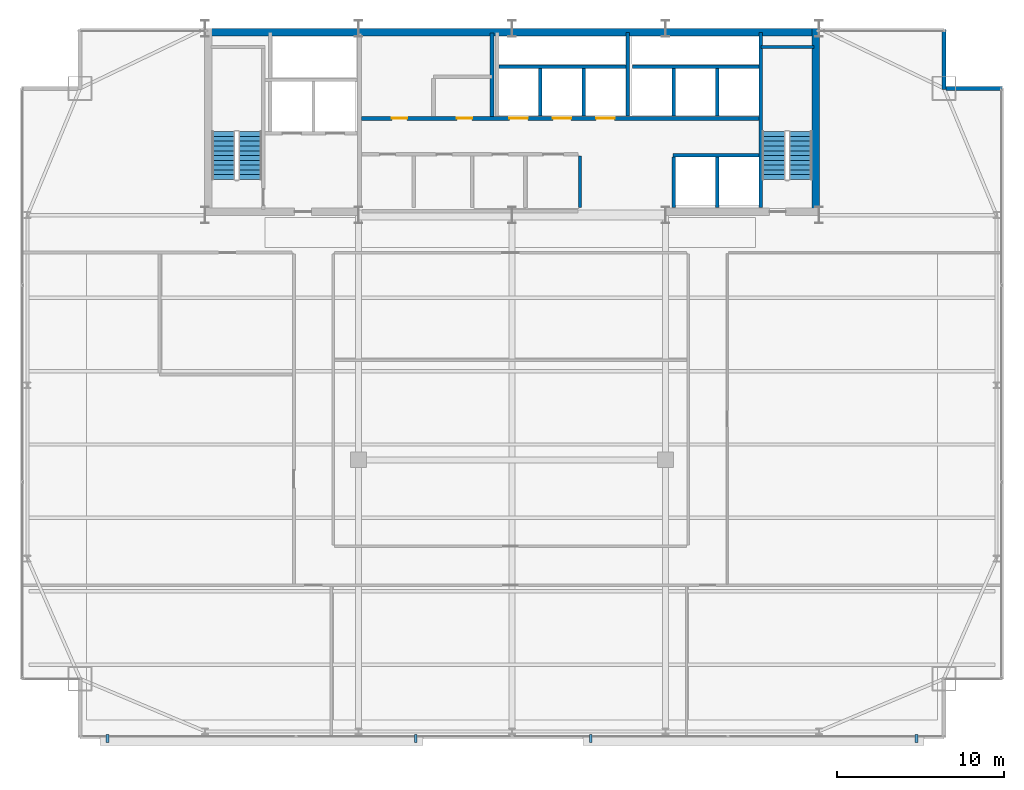
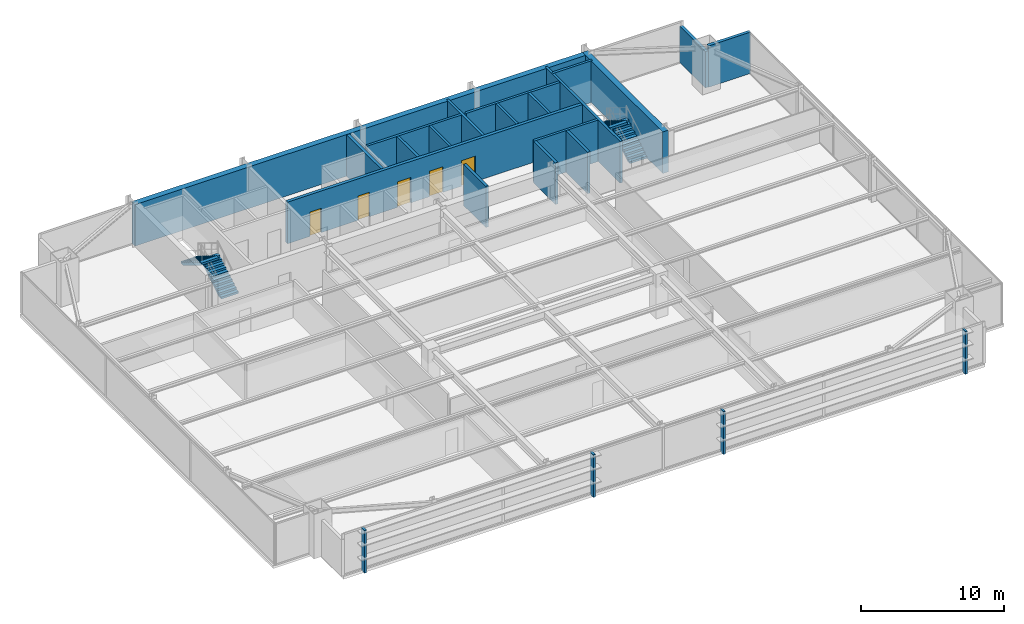
# One storey, part 28 of 30: 19 walls, 5 doors, 4 discrete accessories, 4 stair flights, 5 openings, 2 elements without a shape of their own.
"""IFC4 building model written with IfcOpenShell, lengths in metres."""

from ifc_helpers import new_model, si_unit, direction, frame, frame_2d, origin, origin_2d, place, context, subcontext, project, spatial, polyline, rectangle, outline, extrude, source, transform, mapped, material, layer, layer_set, type_object, type_shapes, element, fill, aggregate, save


model = new_model("IFC4")

# Units and contexts
model_context = context("Model", 3, precision=1e-05, world=origin(), true_north=direction((0.0, 1.0)))
body_context = subcontext(model_context, "Body", "Model", "MODEL_VIEW")
ifc_project = project(units=[si_unit("LENGTHUNIT", "METRE"), si_unit("AREAUNIT", "SQUARE_METRE"), si_unit("VOLUMEUNIT", "CUBIC_METRE"), si_unit("PLANEANGLEUNIT", "RADIAN"), si_unit("MASSUNIT", "GRAM", prefix="KILO")], contexts=[model_context])

# Site, building, storey
site_placement = place(None, origin())
site = spatial("IfcSite", under=ifc_project, at=site_placement, CompositionType="ELEMENT")
building_placement = place(site_placement, origin())
building = spatial("IfcBuilding", under=site, at=building_placement, Name="Varnel Quay Broadcast Tower", CompositionType="ELEMENT")
storey_placement = place(building_placement, frame((0.0, 0.0, 122.0)))
storey = spatial("IfcBuildingStorey", under=building, at=storey_placement, Name="L29", CompositionType="ELEMENT", Elevation=122.0)

# Walls
ifc_material_1 = material(Name="Concrete CSA A23.3 C50/60", Category="concrete")
ifc_layer_1 = layer(ifc_material_1, 0.199951171875, Name="Concrete CSA A23.3 C50/60")
ifc_layer_set_1 = layer_set([ifc_layer_1], Name="Concrete CSA A23.3 C50/60")
wall_type_1 = type_object("IfcWallType", Name="Wall_CoreShaftShear200", PredefinedType="SHEAR", material=ifc_layer_set_1)
wall_1_placement = place(storey_placement, frame((48.919921875, 36.050048828125, 0.0), z_axis=(0.0, 0.0, 1.0), x_axis=(0.0, 1.0, 0.0)))
element("IfcWall", 1, at=wall_1_placement, inside=storey, type_object=wall_type_1, Name="L29 Stair 2 West Structural Wall", PredefinedType="SHEAR", context=body_context, shape_type="SweptSolid", body=[
    extrude(rectangle(XDim=10.5, YDim=0.199951171875, at=frame_2d((5.25, 0.0))), origin(), (0.0, 0.0, 1.0), 3.550048828125),
])
wall_2_placement = place(storey_placement, frame((48.919921875, 45.679931640625, 0.0), z_axis=(0.0, 0.0, 1.0), x_axis=(1.0, 0.0, 0.0)))
element("IfcWall", 2, at=wall_2_placement, inside=storey, type_object=wall_type_1, Name="L29 Stair 2 North Structural Wall", PredefinedType="SHEAR", context=body_context, shape_type="SweptSolid", body=[
    extrude(rectangle(XDim=3.18017578125, YDim=0.199951171875, at=frame_2d((1.590087890625, 0.0))), origin(), (0.0, 0.0, 1.0), 3.550048828125),
])
wall_3_placement = place(storey_placement, frame((33.219970703125, 44.5, 0.0), z_axis=(0.0, 0.0, 1.0), x_axis=(1.0, 0.0, 0.0)))
element("IfcWall", 3, at=wall_3_placement, inside=storey, type_object=wall_type_1, Name="L29 Mid-Rise Lift Shaft Rear Wall", PredefinedType="SHEAR", context=body_context, shape_type="SweptSolid", body=[
    extrude(rectangle(XDim=7.630126953125, YDim=0.199951171875, at=frame_2d((3.81494140625, 0.0))), origin(), (0.0, 0.0, 1.0), 3.550048828125),
])
for number, where, z_axis, x_axis, name in (
    (4, (35.699951171875, 41.530029296875, 0.0), (0.0, 0.0, 1.0), (0.0, 1.0, 0.0), "L29 Mid-Rise Lift Shaft Divider 2"),
    (5, (38.300048828125, 41.530029296875, 0.0), (0.0, 0.0, 1.0), (0.0, 1.0, 0.0), "L29 Mid-Rise Lift Shaft Divider 3"),
):
    element("IfcWall", number, at=place(storey_placement, frame(where, z_axis=z_axis, x_axis=x_axis)), inside=storey, type_object=wall_type_1, Name=name, PredefinedType="SHEAR", context=body_context, shape_type="SweptSolid", body=[
        extrude(rectangle(XDim=2.869873046875, YDim=0.199951171875, at=frame_2d((1.43505859375, 0.0))), origin(), (0.0, 0.0, 1.0), 3.550048828125),
    ])
wall_4_placement = place(storey_placement, frame((40.949951171875, 41.530029296875, 0.0), z_axis=(0.0, 0.0, 1.0), x_axis=(0.0, 1.0, 0.0)))
element("IfcWall", 6, at=wall_4_placement, inside=storey, type_object=wall_type_1, Name="L29 Mid-Rise Lift Shaft Divider 4", PredefinedType="SHEAR", context=body_context, shape_type="SweptSolid", body=[
    extrude(rectangle(XDim=5.02001953125, YDim=0.199951171875, at=frame_2d((2.510009765625, 0.0))), origin(), (0.0, 0.0, 1.0), 3.550048828125),
])
wall_5_placement = place(storey_placement, frame((41.219970703125, 44.5, 0.0), z_axis=(0.0, 0.0, 1.0), x_axis=(1.0, 0.0, 0.0)))
element("IfcWall", 7, at=wall_5_placement, inside=storey, type_object=wall_type_1, Name="L29 High-Rise Lift Shaft Rear Wall", PredefinedType="SHEAR", context=body_context, shape_type="SweptSolid", body=[
    extrude(rectangle(XDim=7.580078125, YDim=0.199951171875, at=frame_2d((3.7900390625, 0.0))), origin(), (0.0, 0.0, 1.0), 3.550048828125),
])
for number, where, z_axis, x_axis, name in (
    (8, (43.699951171875, 41.530029296875, 0.0), (0.0, 0.0, 1.0), (0.0, 1.0, 0.0), "L29 High-Rise Lift Shaft Divider 2"),
    (9, (46.300048828125, 41.530029296875, 0.0), (0.0, 0.0, 1.0), (0.0, 1.0, 0.0), "L29 High-Rise Lift Shaft Divider 3"),
):
    element("IfcWall", number, at=place(storey_placement, frame(where, z_axis=z_axis, x_axis=x_axis)), inside=storey, type_object=wall_type_1, Name=name, PredefinedType="SHEAR", context=body_context, shape_type="SweptSolid", body=[
        extrude(rectangle(XDim=2.869873046875, YDim=0.199951171875, at=frame_2d((1.43505859375, 0.0))), origin(), (0.0, 0.0, 1.0), 3.550048828125),
    ])
for number, where, z_axis, x_axis, name in (
    (10, (43.699951171875, 36.050048828125, 0.0), (0.0, 0.0, 1.0), (0.0, 1.0, 0.0), "L29 Express Lift Shaft West Wall"),
    (11, (46.300048828125, 36.050048828125, 0.0), (0.0, 0.0, 1.0), (0.0, 1.0, 0.0), "L29 Express Lift Shaft Divider"),
):
    element("IfcWall", number, at=place(storey_placement, frame(where, z_axis=z_axis, x_axis=x_axis)), inside=storey, type_object=wall_type_1, Name=name, PredefinedType="SHEAR", context=body_context, shape_type="SweptSolid", body=[
        extrude(rectangle(XDim=3.050048828125, YDim=0.199951171875, at=frame_2d((1.52490234375, 0.0))), origin(), (0.0, 0.0, 1.0), 3.550048828125),
    ])
wall_6_placement = place(storey_placement, frame((43.64990234375, 39.199951171875, 0.0), z_axis=(0.0, 0.0, 1.0), x_axis=(1.0, 0.0, 0.0)))
element("IfcWall", 12, at=wall_6_placement, inside=storey, type_object=wall_type_1, Name="L29 Express Lift Shaft North Front Wall", PredefinedType="SHEAR", context=body_context, shape_type="SweptSolid", body=[
    extrude(rectangle(XDim=5.150146484375, YDim=0.199951171875, at=frame_2d((2.5751953125, 0.0))), origin(), (0.0, 0.0, 1.0), 3.550048828125),
])

# Wall, openings, doors
ifc_layer_2 = layer(ifc_material_1, 0.25, Name="Concrete CSA A23.3 C50/60")
ifc_layer_set_2 = layer_set([ifc_layer_2], Name="Concrete CSA A23.3 C50/60")
wall_type_2 = type_object("IfcWallType", Name="Wall_CoreShaftShear250", PredefinedType="SHEAR", material=ifc_layer_set_2)
wall_7_placement = place(storey_placement, frame((24.97998046875, 41.39990234375, 0.0), z_axis=(0.0, 0.0, 1.0), x_axis=(1.0, 0.0, 0.0)))
wall_7 = element("IfcWall", 13, at=wall_7_placement, inside=storey, type_object=wall_type_2, Name="L29 North Lift Bank & Reclaimed Suite Wall", PredefinedType="SHEAR", context=body_context, shape_type="SweptSolid", body=[
    extrude(rectangle(XDim=23.820068359375, YDim=0.25, at=frame_2d((11.91015625, 0.0))), origin(), (0.0, 0.0, 1.0), 3.550048828125),
])
opening_1_placement = place(wall_7_placement, frame((8.8701171875, 0.0, 0.0)))
opening_1 = element("IfcOpeningElement", 14, at=opening_1_placement, cuts=wall_7, Name="Opening LD-L29-PM-01", PredefinedType="OPENING", context=body_context, shape_type="SweptSolid", body=[
    extrude(rectangle(XDim=1.10009765625, YDim=2.179931640625, at=frame_2d((0.550048828125, 1.08984375))), frame((0.0, 0.135009765625, 0.0), z_axis=(0.0, -1.0, 0.0), x_axis=(1.0, 0.0, 0.0)), (0.0, 0.0, 1.0), 0.27001953125),
])
opening_2_placement = place(wall_7_placement, frame((11.469970703125, 0.0, 0.0)))
opening_2 = element("IfcOpeningElement", 15, at=opening_2_placement, cuts=wall_7, Name="Opening LD-L29-PM-02", PredefinedType="OPENING", context=body_context, shape_type="SweptSolid", body=[
    extrude(rectangle(XDim=1.10009765625, YDim=2.179931640625, at=frame_2d((0.550048828125, 1.08984375))), frame((0.0, 0.135009765625, 0.0), z_axis=(0.0, -1.0, 0.0), x_axis=(1.0, 0.0, 0.0)), (0.0, 0.0, 1.0), 0.27001953125),
])
opening_3_placement = place(wall_7_placement, frame((14.070068359375, 0.0, 0.0)))
opening_3 = element("IfcOpeningElement", 16, at=opening_3_placement, cuts=wall_7, Name="Opening LD-L29-PM-03", PredefinedType="OPENING", context=body_context, shape_type="SweptSolid", body=[
    extrude(rectangle(XDim=1.10009765625, YDim=2.179931640625, at=frame_2d((0.550048828125, 1.08984375))), frame((0.0, 0.135009765625, 0.0), z_axis=(0.0, -1.0, 0.0), x_axis=(1.0, 0.0, 0.0)), (0.0, 0.0, 1.0), 0.27001953125),
])
opening_4_placement = place(wall_7_placement, frame((1.81005859375, 0.0, 0.0)))
opening_4 = element("IfcOpeningElement", 17, at=opening_4_placement, cuts=wall_7, Name="Opening D-L29-RECA1", PredefinedType="OPENING", context=body_context, shape_type="SweptSolid", body=[
    extrude(rectangle(XDim=0.919921875, YDim=2.080078125, at=frame_2d((0.4599609375, 1.0400390625))), frame((0.0, 0.135009765625, 0.0), z_axis=(0.0, -1.0, 0.0), x_axis=(1.0, 0.0, 0.0)), (0.0, 0.0, 1.0), 0.27001953125),
])
opening_5_placement = place(wall_7_placement, frame((5.7099609375, 0.0, 0.0)))
opening_5 = element("IfcOpeningElement", 18, at=opening_5_placement, cuts=wall_7, Name="Opening D-L29-RECA2", PredefinedType="OPENING", context=body_context, shape_type="SweptSolid", body=[
    extrude(rectangle(XDim=0.919921875, YDim=2.080078125, at=frame_2d((0.4599609375, 1.0400390625))), frame((0.0, 0.135009765625, 0.0), z_axis=(0.0, -1.0, 0.0), x_axis=(1.0, 0.0, 0.0)), (0.0, 0.0, 1.0), 0.27001953125),
])
ifc_material_2 = material(Name="Brushed Bronze-Stainless Lift Car & Sliding Doors", Category="steel")
door_type_1 = type_object("IfcDoorType", Name="Door_LiftLanding1100", OperationType="SLIDING_TO_LEFT", PredefinedType="DOOR", material=ifc_material_2)
shared_shape_1 = source(origin(), body_context, "Body", "SweptSolid", [
    extrude(rectangle(XDim=1.10009765625, YDim=2.179931640625, at=frame_2d((0.550048828125, 1.08984375))), frame((0.0, 0.02490234375, 0.0), z_axis=(0.0, -1.0, 0.0), x_axis=(1.0, 0.0, 0.0)), (0.0, 0.0, 1.0), 0.050048828125),
])
type_shapes(door_type_1, [shared_shape_1])
door_1_placement = place(opening_1_placement, frame((1.10009765625, 0.0, 0.0), z_axis=(0.0, 0.0, 1.0), x_axis=(-1.0, 0.0, 0.0)))
door_1 = element("IfcDoor", 19, at=door_1_placement, inside=storey, type_object=door_type_1, Name="L29 Lift PM-01 Landing Door", OperationType="SLIDING_TO_LEFT", OverallHeight=2.179931640625, OverallWidth=1.10009765625, PredefinedType="DOOR", context=body_context, shape_type="MappedRepresentation", body=[
    mapped(shared_shape_1, transform((0.0, 0.0, 0.0), x_axis=(1.0, 0.0, 0.0), y_axis=(0.0, 1.0, 0.0), z_axis=(0.0, 0.0, 1.0), scale=1.0)),
])
fill(opening_1, door_1)
door_2_placement = place(opening_2_placement, frame((1.10009765625, 0.0, 0.0), z_axis=(0.0, 0.0, 1.0), x_axis=(-1.0, 0.0, 0.0)))
door_2 = element("IfcDoor", 20, at=door_2_placement, inside=storey, type_object=door_type_1, Name="L29 Lift PM-02 Landing Door", OperationType="SLIDING_TO_LEFT", OverallHeight=2.179931640625, OverallWidth=1.10009765625, PredefinedType="DOOR", context=body_context, shape_type="MappedRepresentation", body=[
    mapped(shared_shape_1, transform((0.0, 0.0, 0.0), x_axis=(1.0, 0.0, 0.0), y_axis=(0.0, 1.0, 0.0), z_axis=(0.0, 0.0, 1.0), scale=1.0)),
])
fill(opening_2, door_2)
door_3_placement = place(opening_3_placement, frame((1.10009765625, 0.0, 0.0), z_axis=(0.0, 0.0, 1.0), x_axis=(-1.0, 0.0, 0.0)))
door_3 = element("IfcDoor", 21, at=door_3_placement, inside=storey, type_object=door_type_1, Name="L29 Lift PM-03 Landing Door", OperationType="SLIDING_TO_LEFT", OverallHeight=2.179931640625, OverallWidth=1.10009765625, PredefinedType="DOOR", context=body_context, shape_type="MappedRepresentation", body=[
    mapped(shared_shape_1, transform((0.0, 0.0, 0.0), x_axis=(1.0, 0.0, 0.0), y_axis=(0.0, 1.0, 0.0), z_axis=(0.0, 0.0, 1.0), scale=1.0)),
])
fill(opening_3, door_3)
ifc_material_3 = material(Name="Solid-Core Fire-Rated Acoustic Oak Veneer Door", Category="wood")
door_type_2 = type_object("IfcDoorType", Name="Door_Office920", OperationType="NOTDEFINED", PredefinedType="DOOR", material=ifc_material_3)
shared_shape_2 = source(origin(), body_context, "Body", "SweptSolid", [
    extrude(rectangle(XDim=0.919921875, YDim=2.080078125, at=frame_2d((0.4599609375, 1.0400390625))), frame((0.0, 0.02490234375, 0.0), z_axis=(0.0, -1.0, 0.0), x_axis=(1.0, 0.0, 0.0)), (0.0, 0.0, 1.0), 0.050048828125),
])
type_shapes(door_type_2, [shared_shape_2])
door_4_placement = place(opening_4_placement, origin())
door_4 = element("IfcDoor", 22, at=door_4_placement, inside=storey, type_object=door_type_2, Name="L29 Signal Routing Suite Door", OperationType="SINGLE_SWING_RIGHT", OverallHeight=2.080078125, OverallWidth=0.919921875, PredefinedType="DOOR", context=body_context, shape_type="MappedRepresentation", body=[
    mapped(shared_shape_2, transform((0.0, 0.0, 0.0), x_axis=(1.0, 0.0, 0.0), y_axis=(0.0, 1.0, 0.0), z_axis=(0.0, 0.0, 1.0), scale=1.0)),
])
fill(opening_4, door_4)
door_5_placement = place(opening_5_placement, origin())
door_5 = element("IfcDoor", 23, at=door_5_placement, inside=storey, type_object=door_type_2, Name="L29 Archive Media Store Door", OperationType="SINGLE_SWING_LEFT", OverallHeight=2.080078125, OverallWidth=0.919921875, PredefinedType="DOOR", context=body_context, shape_type="MappedRepresentation", body=[
    mapped(shared_shape_2, transform((0.0, 0.0, 0.0), x_axis=(1.0, 0.0, 0.0), y_axis=(0.0, 1.0, 0.0), z_axis=(0.0, 0.0, 1.0), scale=1.0)),
])
fill(opening_5, door_5)

# Walls
ifc_material_4 = material(Name="Concrete CSA A23.3 C60/75", Category="concrete")
ifc_layer_3 = layer(ifc_material_4, 0.449951171875, Name="Concrete CSA A23.3 C60/75")
ifc_layer_set_3 = layer_set([ifc_layer_3], Name="Concrete CSA A23.3 C60/75")
wall_type_3 = type_object("IfcWallType", Name="Wall_CoreShearExt450", PredefinedType="SHEAR", material=ifc_layer_set_3)
wall_8_placement = place(storey_placement, frame((15.60009765625, 46.574951171875, 0.0), z_axis=(0.0, 0.0, 1.0), x_axis=(1.0, 0.0, 0.0)))
element("IfcWall", 24, at=wall_8_placement, inside=storey, type_object=wall_type_3, Name="L29 North Core Shear Wall", PredefinedType="SHEAR", context=body_context, shape_type="SweptSolid", body=[
    extrude(rectangle(XDim=36.7998046875, YDim=0.449951171875, at=frame_2d((18.39990234375, 0.0))), origin(), (0.0, 0.0, 1.0), 3.550048828125),
])
ifc_layer_4 = layer(ifc_material_4, 0.449951171875, Name="Concrete CSA A23.3 C60/75")
ifc_layer_set_4 = layer_set([ifc_layer_4], Name="Concrete CSA A23.3 C60/75")
wall_type_4 = type_object("IfcWallType", Name="Wall_CoreShearInt450", PredefinedType="SHEAR", material=ifc_layer_set_4)
wall_9_placement = place(storey_placement, frame((52.205078125, 35.570068359375, 0.0), z_axis=(0.0, 0.0, 1.0), x_axis=(0.0, 1.0, 0.0)))
element("IfcWall", 25, at=wall_9_placement, inside=storey, type_object=wall_type_4, Name="L29 East Core Shear Wall", PredefinedType="SHEAR", context=body_context, shape_type="SweptSolid", body=[
    extrude(rectangle(XDim=11.22998046875, YDim=0.449951171875, at=frame_2d((5.614990234375, 0.0))), origin(), (0.0, 0.0, 1.0), 3.550048828125),
])
ifc_material_5 = material(Name="Precast Architectural Concrete C40/50", Category="concrete")
ifc_layer_5 = layer(ifc_material_5, 0.25, Name="Precast Architectural Concrete C40/50")
ifc_layer_set_5 = layer_set([ifc_layer_5], Name="Precast Architectural Concrete C40/50")
wall_type_5 = type_object("IfcWallType", Name="Wall_ExtTerrace250", PredefinedType="SOLIDWALL", material=ifc_layer_set_5)
wall_10_placement = place(storey_placement, frame((60.030029296875, 43.199951171875, 0.0), z_axis=(0.0, 0.0, 1.0), x_axis=(1.0, 0.0, 0.0)))
element("IfcWall", 26, at=wall_10_placement, inside=storey, type_object=wall_type_5, Name="L29 Mega-Column Notch Cladding Wall NNE1", PredefinedType="SOLIDWALL", context=body_context, shape_type="SweptSolid", body=[
    extrude(rectangle(XDim=3.389892578125, YDim=0.25, at=frame_2d((1.69482421875, 0.0))), origin(), (0.0, 0.0, 1.0), 3.530029296875),
])
wall_11_placement = place(storey_placement, frame((59.89990234375, 43.1201171875, 0.0), z_axis=(0.0, 0.0, 1.0), x_axis=(0.0, 1.0, 0.0)))
element("IfcWall", 27, at=wall_11_placement, inside=storey, type_object=wall_type_5, Name="L29 Mega-Column Notch Cladding Wall NNE2", PredefinedType="SOLIDWALL", context=body_context, shape_type="SweptSolid", body=[
    extrude(rectangle(XDim=3.599853515625, YDim=0.25, at=frame_2d((1.7998046875, 0.0))), origin(), (0.0, 0.0, 1.0), 3.10791015625),
])
ifc_material_6 = material(Name="Concrete Blockwork Fire Enclosure C40/50", Category="masonry")
ifc_layer_6 = layer(ifc_material_6, 0.199951171875, Name="Concrete Blockwork Fire Enclosure C40/50")
ifc_layer_set_6 = layer_set([ifc_layer_6], Name="Concrete Blockwork Fire Enclosure C40/50")
wall_type_6 = type_object("IfcWallType", Name="Wall_FireShaft200", PredefinedType="SOLIDWALL", material=ifc_layer_set_6)
wall_12_placement = place(storey_placement, frame((38.074951171875, 36.050048828125, 0.0), z_axis=(0.0, 0.0, 1.0), x_axis=(0.0, 1.0, 0.0)))
element("IfcWall", 28, at=wall_12_placement, inside=storey, type_object=wall_type_6, Name="L29 Zone Lighting Dimmer Room Partition 6", PredefinedType="SOLIDWALL", context=body_context, shape_type="SweptSolid", body=[
    extrude(rectangle(XDim=3.099853515625, YDim=0.199951171875, at=frame_2d((1.5498046875, 0.0))), origin(), (0.0, 0.0, 1.0), 3.530029296875),
])
ifc_material_7 = material(Name="Steel-Stud Fire-Rated Acoustic Gypsum Partition Assembly", Category="steel")
ifc_layer_7 = layer(ifc_material_7, 0.22509765625, Name="Steel-Stud Fire-Rated Acoustic Gypsum Partition Assembly")
ifc_layer_set_7 = layer_set([ifc_layer_7], Name="Steel-Stud Fire-Rated Acoustic Gypsum Partition Assembly")
wall_type_7 = type_object("IfcWallType", Name="Wall_Partition225", PredefinedType="PARTITIONING", material=ifc_layer_set_7)
wall_13_placement = place(storey_placement, frame((32.800048828125, 41.5, 0.0), z_axis=(0.0, 0.0, 1.0), x_axis=(0.0, 1.0, 0.0)))
element("IfcWall", 29, at=wall_13_placement, inside=storey, type_object=wall_type_7, Name="L29 Signal Routing Suite Partition 23", PredefinedType="PARTITIONING", context=body_context, shape_type="SweptSolid", body=[
    extrude(rectangle(XDim=5.02001953125, YDim=0.22509765625, at=frame_2d((2.510009765625, 0.0))), origin(), (0.0, 0.0, 1.0), 3.530029296875),
])

# Stair, stair flights
ifc_material_8 = material(Name="Precast Structural Concrete C40/50", Category="concrete")
stair_type_1 = type_object("IfcStairType", Name="Stair_ST-01", PredefinedType="HALF_TURN_STAIR", material=ifc_material_8)
stair_1_placement = place(storey_placement, origin())
stair_1 = element("IfcStair", 30, at=stair_1_placement, inside=storey, type_object=stair_type_1, Name="L29 West Core Exit Stair 1", PredefinedType="HALF_TURN_STAIR")
stair_flight_type_1 = type_object("IfcStairFlightType", Name="Flight_ST-01", PredefinedType="STRAIGHT", material=ifc_material_8)
stair_flight_1_placement = place(storey_placement, frame((18.300048828125, 37.75, 0.0), z_axis=(0.0, 0.0, 1.0), x_axis=(0.0, 1.0, 0.0)))
stair_flight_1 = element("IfcStairFlight", 31, at=stair_flight_1_placement, type_object=stair_flight_type_1, Name="ST-01 flight 1", NumberOfRisers=11, NumberOfTreads=10, PredefinedType="STRAIGHT", RiserHeight=0.172727273, TreadLength=0.285, context=body_context, shape_type="SweptSolid", body=[
    extrude(outline(polyline([(0.0, 0.0), (0.0, 0.172607421875), (0.284912109375, 0.172607421875), (0.284912109375, 0.345458984375), (0.570068359375, 0.345458984375), (0.570068359375, 0.51806640625), (0.85498046875, 0.51806640625), (0.85498046875, 0.69091796875), (1.139892578125, 0.69091796875), (1.139892578125, 0.863525390625), (1.425048828125, 0.863525390625), (1.425048828125, 1.036376953125), (1.7099609375, 1.036376953125), (1.7099609375, 1.208984375), (1.9951171875, 1.208984375), (1.9951171875, 1.3818359375), (2.280029296875, 1.3818359375), (2.280029296875, 1.554443359375), (2.56494140625, 1.554443359375), (2.56494140625, 1.727294921875), (2.85009765625, 1.727294921875), (2.85009765625, 1.89990234375), (2.85009765625, 1.552001953125), (0.289306640625, 0.0), (0.0, 0.0)])), frame((0.0, 0.699951171875, 0.0), z_axis=(0.0, -1.0, 0.0), x_axis=(1.0, 0.0, 0.0)), (0.0, 0.0, 1.0), 1.39990234375),
])
stair_flight_2_placement = place(storey_placement, frame((16.699951171875, 40.60009765625, 1.89990234375), z_axis=(0.0, 0.0, 1.0), x_axis=(0.0, -1.0, 0.0)))
stair_flight_2 = element("IfcStairFlight", 32, at=stair_flight_2_placement, type_object=stair_flight_type_1, Name="ST-01 flight 2", NumberOfRisers=11, NumberOfTreads=10, PredefinedType="STRAIGHT", RiserHeight=0.172727273, TreadLength=0.285, context=body_context, shape_type="SweptSolid", body=[
    extrude(outline(polyline([(0.0, 0.0), (0.0, 0.172607421875), (0.284912109375, 0.172607421875), (0.284912109375, 0.345458984375), (0.570068359375, 0.345458984375), (0.570068359375, 0.51806640625), (0.85498046875, 0.51806640625), (0.85498046875, 0.69091796875), (1.139892578125, 0.69091796875), (1.139892578125, 0.863525390625), (1.425048828125, 0.863525390625), (1.425048828125, 1.036376953125), (1.7099609375, 1.036376953125), (1.7099609375, 1.208984375), (1.9951171875, 1.208984375), (1.9951171875, 1.3818359375), (2.280029296875, 1.3818359375), (2.280029296875, 1.554443359375), (2.56494140625, 1.554443359375), (2.56494140625, 1.727294921875), (2.85009765625, 1.727294921875), (2.85009765625, 1.89990234375), (2.85009765625, 1.552001953125), (0.289306640625, 0.0), (0.0, 0.0)])), frame((0.0, 0.699951171875, 0.0), z_axis=(0.0, -1.0, 0.0), x_axis=(1.0, 0.0, 0.0)), (0.0, 0.0, 1.0), 1.39990234375),
])
aggregate(stair_1, [stair_flight_1, stair_flight_2])

stair_type_2 = type_object("IfcStairType", Name="Stair_ST-02", PredefinedType="HALF_TURN_STAIR", material=ifc_material_8)
stair_2_placement = place(storey_placement, origin())
stair_2 = element("IfcStair", 33, at=stair_2_placement, inside=storey, type_object=stair_type_2, Name="L29 East Core Exit Stair 2", PredefinedType="HALF_TURN_STAIR")
stair_flight_type_2 = type_object("IfcStairFlightType", Name="Flight_ST-02", PredefinedType="STRAIGHT", material=ifc_material_8)
stair_flight_3_placement = place(storey_placement, frame((51.300048828125, 37.75, 0.0), z_axis=(0.0, 0.0, 1.0), x_axis=(0.0, 1.0, 0.0)))
stair_flight_3 = element("IfcStairFlight", 34, at=stair_flight_3_placement, type_object=stair_flight_type_2, Name="ST-02 flight 1", NumberOfRisers=11, NumberOfTreads=10, PredefinedType="STRAIGHT", RiserHeight=0.172727273, TreadLength=0.285, context=body_context, shape_type="SweptSolid", body=[
    extrude(outline(polyline([(0.0, 0.0), (0.0, 0.172607421875), (0.284912109375, 0.172607421875), (0.284912109375, 0.345458984375), (0.570068359375, 0.345458984375), (0.570068359375, 0.51806640625), (0.85498046875, 0.51806640625), (0.85498046875, 0.69091796875), (1.139892578125, 0.69091796875), (1.139892578125, 0.863525390625), (1.425048828125, 0.863525390625), (1.425048828125, 1.036376953125), (1.7099609375, 1.036376953125), (1.7099609375, 1.208984375), (1.9951171875, 1.208984375), (1.9951171875, 1.3818359375), (2.280029296875, 1.3818359375), (2.280029296875, 1.554443359375), (2.56494140625, 1.554443359375), (2.56494140625, 1.727294921875), (2.85009765625, 1.727294921875), (2.85009765625, 1.89990234375), (2.85009765625, 1.552001953125), (0.289306640625, 0.0), (0.0, 0.0)])), frame((0.0, 0.699951171875, 0.0), z_axis=(0.0, -1.0, 0.0), x_axis=(1.0, 0.0, 0.0)), (0.0, 0.0, 1.0), 1.39990234375),
])
stair_flight_4_placement = place(storey_placement, frame((49.699951171875, 40.60009765625, 1.89990234375), z_axis=(0.0, 0.0, 1.0), x_axis=(0.0, -1.0, 0.0)))
stair_flight_4 = element("IfcStairFlight", 35, at=stair_flight_4_placement, type_object=stair_flight_type_2, Name="ST-02 flight 2", NumberOfRisers=11, NumberOfTreads=10, PredefinedType="STRAIGHT", RiserHeight=0.172727273, TreadLength=0.285, context=body_context, shape_type="SweptSolid", body=[
    extrude(outline(polyline([(0.0, 0.0), (0.0, 0.172607421875), (0.284912109375, 0.172607421875), (0.284912109375, 0.345458984375), (0.570068359375, 0.345458984375), (0.570068359375, 0.51806640625), (0.85498046875, 0.51806640625), (0.85498046875, 0.69091796875), (1.139892578125, 0.69091796875), (1.139892578125, 0.863525390625), (1.425048828125, 0.863525390625), (1.425048828125, 1.036376953125), (1.7099609375, 1.036376953125), (1.7099609375, 1.208984375), (1.9951171875, 1.208984375), (1.9951171875, 1.3818359375), (2.280029296875, 1.3818359375), (2.280029296875, 1.554443359375), (2.56494140625, 1.554443359375), (2.56494140625, 1.727294921875), (2.85009765625, 1.727294921875), (2.85009765625, 1.89990234375), (2.85009765625, 1.552001953125), (0.289306640625, 0.0), (0.0, 0.0)])), frame((0.0, 0.699951171875, 0.0), z_axis=(0.0, -1.0, 0.0), x_axis=(1.0, 0.0, 0.0)), (0.0, 0.0, 1.0), 1.39990234375),
])
aggregate(stair_2, [stair_flight_3, stair_flight_4])

# Discrete accessories
ifc_material_9 = material(Name="Anodised Bronze Aluminium 6063-T6", Category="aluminium")
ifc_layer_8 = layer(ifc_material_9, 0.47998046875, Name="Anodised Bronze Aluminium 6063-T6")
ifc_layer_set_8 = layer_set([ifc_layer_8], Name="Anodised Bronze Aluminium 6063-T6")
discrete_accessory_type = type_object("IfcDiscreteAccessoryType", Name="Acc_FacadeBracket", PredefinedType="BRACKET", material=ifc_layer_set_8)
shared_shape_3 = source(origin(), body_context, "Body", "SweptSolid", [
    extrude(rectangle(XDim=0.159912109375, YDim=0.47998046875, at=origin_2d()), origin(), (0.0, 0.0, 1.0), 3.64990234375),
])
type_shapes(discrete_accessory_type, [shared_shape_3])
for number, where, z_axis, x_axis, name in (
    (36, (9.75, 4.219970703125, -0.14990234375), (0.0, 0.0, 1.0), (1.0, 0.0, 0.0), "L29 Lobe 1 Louvre Support Bracket 1"),
    (37, (28.220947265625, 4.219970703125, -0.14990234375), (0.0, 0.0, 1.0), (1.0, 0.0, 0.0), "L29 Lobe 1 Louvre Support Bracket 2"),
    (38, (38.720947265625, 4.219970703125, -0.14990234375), (0.0, 0.0, 1.0), (1.0, 0.0, 0.0), "L29 Lobe 2 Louvre Support Bracket 1"),
    (39, (58.25, 4.219970703125, -0.14990234375), (0.0, 0.0, 1.0), (1.0, 0.0, 0.0), "L29 Lobe 2 Louvre Support Bracket 2"),
):
    element("IfcDiscreteAccessory", number, at=place(storey_placement, frame(where, z_axis=z_axis, x_axis=x_axis)), inside=storey, type_object=discrete_accessory_type, Name=name, PredefinedType="BRACKET", context=body_context, shape_type="MappedRepresentation", body=[
        mapped(shared_shape_3, transform((0.0, 0.0, 0.0), x_axis=(1.0, 0.0, 0.0), y_axis=(0.0, 1.0, 0.0), z_axis=(0.0, 0.0, 1.0), scale=1.0)),
    ])

save(model, "model.ifc")
